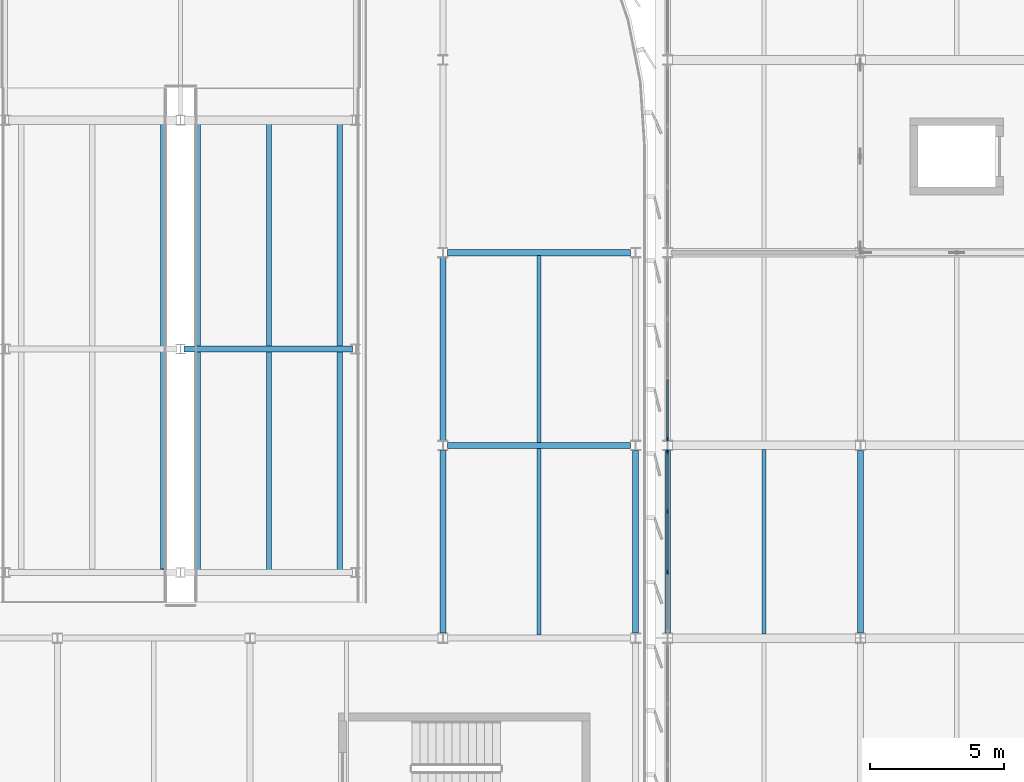
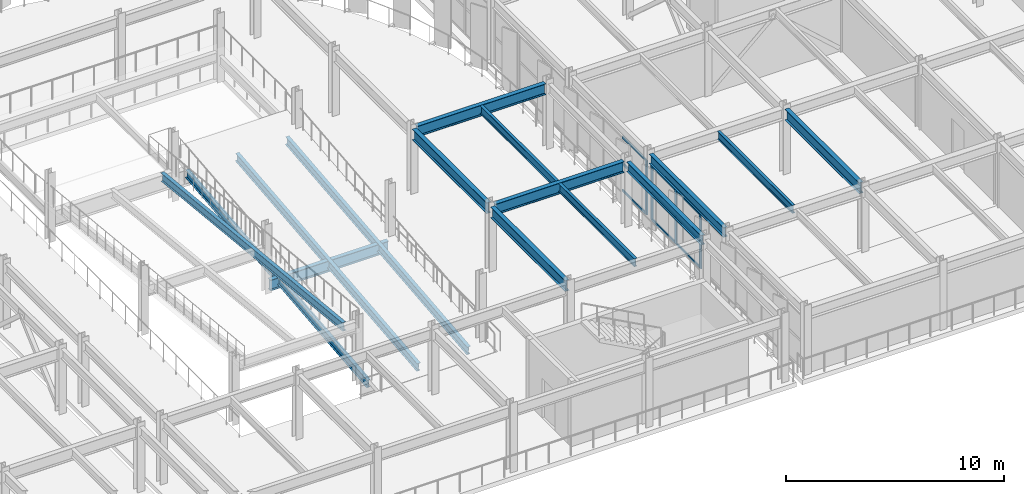
# One storey, part 43 of 93: 15 beams, 13 members, 2 elements without a shape of their own.
"""IFC4 building model written with IfcOpenShell, lengths in metres."""

from ifc_helpers import new_model, si_unit, direction, frame, origin, origin_2d, place, context, subcontext, project, spatial, rectangle, i_section, extrude, material, material_profile, profile_set, type_object, element, aggregate, save


model = new_model("IFC4")

# Units and contexts
model_context = context("Model", 3, precision=1e-05, world=origin(), true_north=direction((0.0, 1.0)))
body_context = subcontext(model_context, "Body", "Model", "MODEL_VIEW")
ifc_project = project(units=[si_unit("LENGTHUNIT", "METRE"), si_unit("AREAUNIT", "SQUARE_METRE"), si_unit("VOLUMEUNIT", "CUBIC_METRE"), si_unit("PLANEANGLEUNIT", "RADIAN"), si_unit("MASSUNIT", "GRAM", prefix="KILO")], contexts=[model_context])

# Site, building, storey
site_placement = place(None, origin())
site = spatial("IfcSite", under=ifc_project, at=site_placement, CompositionType="ELEMENT")
building_placement = place(site_placement, origin())
building = spatial("IfcBuilding", under=site, at=building_placement, Name="Vaelcorin Mobility Hub", CompositionType="ELEMENT")
storey_placement = place(building_placement, frame((0.0, 0.0, 5.39990234375)))
storey = spatial("IfcBuildingStorey", under=building, at=storey_placement, Name="L01", CompositionType="ELEMENT", Elevation=5.39990234375)

# Beams
ifc_material_1 = material(Name="Steel ASTM A992 Grade 50", Category="steel")
ifc_material_profile_1 = material_profile(ifc_material_1, i_section(OverallWidth=0.152099609375, OverallDepth=0.455078125, WebThickness=0.008056640625, FlangeThickness=0.01318359375, FilletRadius=0.012939453125, at=origin_2d()), Name="W18X40")
ifc_profile_set_1 = profile_set([ifc_material_profile_1], Name="Steel ASTM A992 Grade 50")
beam_type_1 = type_object("IfcBeamType", Name="BM-W18X40", PredefinedType="JOIST", material=ifc_profile_set_1)
beam_1_placement = place(storey_placement, frame((148.800048828125, 84.112060546875, 3.423095703125), z_axis=(0.0, 1.0, 0.0), x_axis=(-1.0, 0.0, 0.0)))
element("IfcBeam", 1, at=beam_1_placement, inside=storey, type_object=beam_type_1, Name="L01 Beam V2E-L01-J-04-02-1", PredefinedType="JOIST", context=body_context, shape_type="SweptSolid", body=[
    extrude(i_section(OverallWidth=0.152099609375, OverallDepth=0.455078125, WebThickness=0.008056640625, FlangeThickness=0.01318359375, FilletRadius=0.012939453125, at=origin_2d()), origin(), (0.0, 0.0, 1.0), 6.975830078125),
])
beam_2_placement = place(storey_placement, frame((148.800048828125, 91.31201171875, 3.423095703125), z_axis=(0.0, 1.0, 0.0), x_axis=(-1.0, 0.0, 0.0)))
element("IfcBeam", 2, at=beam_2_placement, inside=storey, type_object=beam_type_1, Name="L01 Beam V2E-L01-J-04-03-1", PredefinedType="JOIST", context=body_context, shape_type="SweptSolid", body=[
    extrude(i_section(OverallWidth=0.152099609375, OverallDepth=0.455078125, WebThickness=0.008056640625, FlangeThickness=0.01318359375, FilletRadius=0.012939453125, at=origin_2d()), origin(), (0.0, 0.0, 1.0), 6.97607421875),
])
beam_3_placement = place(storey_placement, frame((157.199951171875, 84.159912109375, 3.443115234375), z_axis=(0.0, 1.0, 0.0), x_axis=(-1.0, 0.0, 0.0)))
element("IfcBeam", 3, at=beam_3_placement, inside=storey, type_object=beam_type_1, Name="L01 Beam V5-L01-J-01-10-1", PredefinedType="JOIST", context=body_context, shape_type="SweptSolid", body=[
    extrude(i_section(OverallWidth=0.152099609375, OverallDepth=0.455078125, WebThickness=0.008056640625, FlangeThickness=0.01318359375, FilletRadius=0.012939453125, at=origin_2d()), origin(), (0.0, 0.0, 1.0), 6.880126953125),
])
ifc_material_profile_2 = material_profile(ifc_material_1, i_section(OverallWidth=0.19091796875, OverallDepth=0.4599609375, WebThickness=0.010009765625, FlangeThickness=0.01611328125, FilletRadius=0.012939453125, at=origin_2d()), Name="W18X55")
ifc_profile_set_2 = profile_set([ifc_material_profile_2], Name="Steel ASTM A992 Grade 50")
beam_type_2 = type_object("IfcBeamType", Name="BM-W18X55", PredefinedType="JOIST", material=ifc_profile_set_2)
for number, where, z_axis, x_axis, name in (
    (4, (136.050048828125, 86.56005859375, -0.390869140625), (0.0, 0.994870153846, 0.101160155132), (-1.0, 0.0, 0.0), "Vehicle Ramp VR-2 L01 Flight 1 Stringer 1"),
    (5, (138.699951171875, 86.56005859375, -0.390869140625), (0.0, 0.994870153846, 0.101160155132), (-1.0, 0.0, 0.0), "Vehicle Ramp VR-2 L01 Flight 1 Stringer 2"),
    (6, (141.35009765625, 86.56005859375, -0.390869140625), (0.0, 0.994870153846, 0.101160155132), (-1.0, 0.0, 0.0), "Vehicle Ramp VR-2 L01 Flight 1 Stringer 3"),
    (7, (134.75, 103.239990234375, 1.570068359375), (0.0, -0.994876014241, 0.10110250387), (1.0, 0.0, 0.0), "Vehicle Ramp VR-2 L01 Flight 2 Stringer 3"),
):
    element("IfcBeam", number, at=place(storey_placement, frame(where, z_axis=z_axis, x_axis=x_axis)), inside=storey, type_object=beam_type_2, Name=name, PredefinedType="JOIST", context=body_context, shape_type="SweptSolid", body=[
        extrude(i_section(OverallWidth=0.19091796875, OverallDepth=0.4599609375, WebThickness=0.010009765625, FlangeThickness=0.01611328125, FilletRadius=0.012939453125, at=origin_2d()), origin(), (0.0, 0.0, 1.0), 16.765869140625),
    ])
ifc_material_profile_3 = material_profile(ifc_material_1, i_section(OverallWidth=0.2099609375, OverallDepth=0.535888671875, WebThickness=0.010986328125, FlangeThickness=0.017333984375, FilletRadius=0.013916015625, at=origin_2d()), Name="W21X68")
ifc_profile_set_3 = profile_set([ifc_material_profile_3], Name="Steel ASTM A992 Grade 50")
beam_type_3 = type_object("IfcBeamType", Name="BM-W21X68", PredefinedType="SPANDREL", material=ifc_profile_set_3)
for number, where, z_axis, x_axis, name in (
    (8, (152.39990234375, 84.18408203125, 3.382080078125), (0.0, 1.0, 0.0), (-1.0, 0.0, 0.0), "L01 Beam V2E-L01-GY-05-02"),
    (9, (153.60009765625, 84.18408203125, 3.402099609375), (0.0, 1.0, 0.0), (-1.0, 0.0, 0.0), "L01 Beam V5-L01-GY-01-10"),
):
    element("IfcBeam", number, at=place(storey_placement, frame(where, z_axis=z_axis, x_axis=x_axis)), inside=storey, type_object=beam_type_3, Name=name, PredefinedType="SPANDREL", context=body_context, shape_type="SweptSolid", body=[
        extrude(i_section(OverallWidth=0.2099609375, OverallDepth=0.535888671875, WebThickness=0.010986328125, FlangeThickness=0.017333984375, FilletRadius=0.013916015625, at=origin_2d()), origin(), (0.0, 0.0, 1.0), 6.83203125),
    ])
ifc_material_profile_4 = material_profile(ifc_material_1, i_section(OverallWidth=0.22900390625, OverallDepth=0.612060546875, WebThickness=0.011962890625, FlangeThickness=0.01953125, FilletRadius=0.014892578125, at=origin_2d()), Name="W24X84")
ifc_profile_set_4 = profile_set([ifc_material_profile_4], Name="Steel ASTM A992 Grade 50")
beam_type_4 = type_object("IfcBeamType", Name="BM-W24X84", PredefinedType="BEAM", material=ifc_profile_set_4)
for number, where, z_axis, x_axis, name in (
    (10, (145.384033203125, 91.199951171875, 3.343994140625), (1.0, 0.0, 0.0), (0.0, 1.0, 0.0), "L01 Beam V2E-L01-GX-03-04"),
    (11, (145.384033203125, 98.39990234375, 3.343994140625), (1.0, 0.0, 0.0), (0.0, 1.0, 0.0), "L01 Beam V2E-L01-GX-04-04"),
    (12, (145.199951171875, 84.18408203125, 3.343994140625), (0.0, 1.0, 0.0), (-1.0, 0.0, 0.0), "L01 Beam V2E-L01-GY-04-02"),
    (13, (145.199951171875, 91.384033203125, 3.343994140625), (0.0, 1.0, 0.0), (-1.0, 0.0, 0.0), "L01 Beam V2E-L01-GY-04-03"),
    (14, (160.800048828125, 84.18408203125, 3.364013671875), (0.0, 1.0, 0.0), (-1.0, 0.0, 0.0), "L01 Beam V5-L01-GY-02-10"),
):
    element("IfcBeam", number, at=place(storey_placement, frame(where, z_axis=z_axis, x_axis=x_axis)), inside=storey, type_object=beam_type_4, Name=name, PredefinedType="BEAM", context=body_context, shape_type="SweptSolid", body=[
        extrude(i_section(OverallWidth=0.22900390625, OverallDepth=0.612060546875, WebThickness=0.011962890625, FlangeThickness=0.01953125, FilletRadius=0.014892578125, at=origin_2d()), origin(), (0.0, 0.0, 1.0), 6.83203125),
    ])
beam_4_placement = place(storey_placement, frame((135.530029296875, 94.800048828125, 0.35009765625), z_axis=(1.0, 0.0, 0.0), x_axis=(0.0, 1.0, 0.0)))
element("IfcBeam", 15, at=beam_4_placement, inside=storey, type_object=beam_type_4, Name="Vehicle Ramp VR-2 L01 Bent Girder F1M", PredefinedType="BEAM", context=body_context, shape_type="SweptSolid", body=[
    extrude(i_section(OverallWidth=0.22900390625, OverallDepth=0.612060546875, WebThickness=0.011962890625, FlangeThickness=0.01953125, FilletRadius=0.014892578125, at=origin_2d()), origin(), (0.0, 0.0, 1.0), 6.2900390625),
])

# Curtain wall, members
ifc_material_2 = material(Name="Anodised aluminium 6063-T6", Category="aluminium")
curtain_wall_type = type_object("IfcCurtainWallType", Name="CW-MOB-A", PredefinedType="NOTDEFINED", material=ifc_material_2)
curtain_wall_1_placement = place(storey_placement, origin())
curtain_wall_1 = element("IfcCurtainWall", 16, at=curtain_wall_1_placement, inside=storey, type_object=curtain_wall_type, Name="L01 Curtain Wall CW-V5-L01-WN-02", PredefinedType="NOTDEFINED")
ifc_material_profile_5 = material_profile(ifc_material_2, rectangle(XDim=0.06005859375, YDim=0.159912109375, at=origin_2d()), Name="ALU-M60X160")
ifc_profile_set_5 = profile_set([ifc_material_profile_5], Name="Anodised aluminium 6063-T6")
member_type_1 = type_object("IfcMemberType", Name="CW-MULL-160", PredefinedType="MULLION", material=ifc_profile_set_5)
member_1_placement = place(storey_placement, frame((153.60009765625, 86.473388671875, 0.0), z_axis=(0.0, 0.0, 1.0), x_axis=(-1.0, 0.0, 0.0)))
member_1 = element("IfcMember", 17, at=member_1_placement, type_object=member_type_1, Name="CW7 mullion 2", PredefinedType="MULLION", context=body_context, shape_type="SweptSolid", body=[
    extrude(rectangle(XDim=0.06005859375, YDim=0.159912109375, at=origin_2d()), origin(), (0.0, 0.0, 1.0), 3.043212890625),
])
member_2_placement = place(storey_placement, frame((153.60009765625, 88.7265625, 0.0), z_axis=(0.0, 0.0, 1.0), x_axis=(-1.0, 0.0, 0.0)))
member_2 = element("IfcMember", 18, at=member_2_placement, type_object=member_type_1, Name="CW7 mullion 3", PredefinedType="MULLION", context=body_context, shape_type="SweptSolid", body=[
    extrude(rectangle(XDim=0.06005859375, YDim=0.159912109375, at=origin_2d()), origin(), (0.0, 0.0, 1.0), 3.043212890625),
])
member_3_placement = place(storey_placement, frame((153.60009765625, 90.949951171875, 0.0), z_axis=(0.0, 0.0, 1.0), x_axis=(-1.0, 0.0, 0.0)))
member_3 = element("IfcMember", 19, at=member_3_placement, type_object=member_type_1, Name="CW7 mullion 4", PredefinedType="MULLION", context=body_context, shape_type="SweptSolid", body=[
    extrude(rectangle(XDim=0.06005859375, YDim=0.159912109375, at=origin_2d()), origin(), (0.0, 0.0, 1.0), 3.043212890625),
])

# Curtain wall, member
curtain_wall_2_placement = place(storey_placement, origin())
curtain_wall_2 = element("IfcCurtainWall", 20, at=curtain_wall_2_placement, inside=storey, type_object=curtain_wall_type, Name="L01 Curtain Wall CW-V5-L01-WN-03", PredefinedType="NOTDEFINED")
member_4_placement = place(storey_placement, frame((153.60009765625, 91.449951171875, 0.0), z_axis=(0.0, 0.0, 1.0), x_axis=(-1.0, 0.0, 0.0)))
member_4 = element("IfcMember", 21, at=member_4_placement, type_object=member_type_1, Name="CW7 mullion 1", PredefinedType="MULLION", context=body_context, shape_type="SweptSolid", body=[
    extrude(rectangle(XDim=0.06005859375, YDim=0.159912109375, at=origin_2d()), origin(), (0.0, 0.0, 1.0), 3.043212890625),
])

# Member
ifc_material_profile_6 = material_profile(ifc_material_2, rectangle(XDim=0.06005859375, YDim=0.1201171875, at=origin_2d()), Name="ALU-T60X120")
ifc_profile_set_6 = profile_set([ifc_material_profile_6], Name="Anodised aluminium 6063-T6")
member_type_2 = type_object("IfcMemberType", Name="CW-TRAN-140", PredefinedType="USERDEFINED", material=ifc_profile_set_6)
member_5_placement = place(storey_placement, frame((153.60009765625, 86.50341796875, 0.030029296875), z_axis=(0.0, 1.0, 0.0), x_axis=(-1.0, 0.0, 0.0)))
member_5 = element("IfcMember", 22, at=member_5_placement, type_object=member_type_2, Name="CW7 transom 2.1", ObjectType="TRANSOM", PredefinedType="USERDEFINED", context=body_context, shape_type="SweptSolid", body=[
    extrude(rectangle(XDim=0.06005859375, YDim=0.1201171875, at=origin_2d()), origin(), (0.0, 0.0, 1.0), 2.193359375),
])

member_6_placement = place(storey_placement, frame((153.60009765625, 86.50341796875, 1.522216796875), z_axis=(0.0, 1.0, 0.0), x_axis=(-1.0, 0.0, 0.0)))
member_6 = element("IfcMember", 23, at=member_6_placement, type_object=member_type_2, Name="CW7 transom 2.2", ObjectType="TRANSOM", PredefinedType="USERDEFINED", context=body_context, shape_type="SweptSolid", body=[
    extrude(rectangle(XDim=0.06005859375, YDim=0.1201171875, at=origin_2d()), origin(), (0.0, 0.0, 1.0), 2.193359375),
])

member_7_placement = place(storey_placement, frame((153.60009765625, 86.50341796875, 3.01318359375), z_axis=(0.0, 1.0, 0.0), x_axis=(-1.0, 0.0, 0.0)))
member_7 = element("IfcMember", 24, at=member_7_placement, type_object=member_type_2, Name="CW7 transom 2.3", ObjectType="TRANSOM", PredefinedType="USERDEFINED", context=body_context, shape_type="SweptSolid", body=[
    extrude(rectangle(XDim=0.06005859375, YDim=0.1201171875, at=origin_2d()), origin(), (0.0, 0.0, 1.0), 2.193359375),
])

member_8_placement = place(storey_placement, frame((153.60009765625, 88.756591796875, 0.030029296875), z_axis=(0.0, 1.0, 0.0), x_axis=(-1.0, 0.0, 0.0)))
member_8 = element("IfcMember", 25, at=member_8_placement, type_object=member_type_2, Name="CW7 transom 3.1", ObjectType="TRANSOM", PredefinedType="USERDEFINED", context=body_context, shape_type="SweptSolid", body=[
    extrude(rectangle(XDim=0.06005859375, YDim=0.1201171875, at=origin_2d()), origin(), (0.0, 0.0, 1.0), 2.163330078125),
])

member_9_placement = place(storey_placement, frame((153.60009765625, 88.756591796875, 1.522216796875), z_axis=(0.0, 1.0, 0.0), x_axis=(-1.0, 0.0, 0.0)))
member_9 = element("IfcMember", 26, at=member_9_placement, type_object=member_type_2, Name="CW7 transom 3.2", ObjectType="TRANSOM", PredefinedType="USERDEFINED", context=body_context, shape_type="SweptSolid", body=[
    extrude(rectangle(XDim=0.06005859375, YDim=0.1201171875, at=origin_2d()), origin(), (0.0, 0.0, 1.0), 2.163330078125),
])

member_10_placement = place(storey_placement, frame((153.60009765625, 88.756591796875, 3.01318359375), z_axis=(0.0, 1.0, 0.0), x_axis=(-1.0, 0.0, 0.0)))
member_10 = element("IfcMember", 27, at=member_10_placement, type_object=member_type_2, Name="CW7 transom 3.3", ObjectType="TRANSOM", PredefinedType="USERDEFINED", context=body_context, shape_type="SweptSolid", body=[
    extrude(rectangle(XDim=0.06005859375, YDim=0.1201171875, at=origin_2d()), origin(), (0.0, 0.0, 1.0), 2.163330078125),
])

aggregate(curtain_wall_1, [member_1, member_2, member_3, member_5, member_6, member_7, member_8, member_9, member_10])

member_11_placement = place(storey_placement, frame((153.60009765625, 91.47998046875, 0.030029296875), z_axis=(0.0, 1.0, 0.0), x_axis=(-1.0, 0.0, 0.0)))
member_11 = element("IfcMember", 28, at=member_11_placement, type_object=member_type_2, Name="CW7 transom 1.1", ObjectType="TRANSOM", PredefinedType="USERDEFINED", context=body_context, shape_type="SweptSolid", body=[
    extrude(rectangle(XDim=0.06005859375, YDim=0.1201171875, at=origin_2d()), origin(), (0.0, 0.0, 1.0), 2.163330078125),
])

member_12_placement = place(storey_placement, frame((153.60009765625, 91.47998046875, 1.522216796875), z_axis=(0.0, 1.0, 0.0), x_axis=(-1.0, 0.0, 0.0)))
member_12 = element("IfcMember", 29, at=member_12_placement, type_object=member_type_2, Name="CW7 transom 1.2", ObjectType="TRANSOM", PredefinedType="USERDEFINED", context=body_context, shape_type="SweptSolid", body=[
    extrude(rectangle(XDim=0.06005859375, YDim=0.1201171875, at=origin_2d()), origin(), (0.0, 0.0, 1.0), 2.163330078125),
])

member_13_placement = place(storey_placement, frame((153.60009765625, 91.47998046875, 3.01318359375), z_axis=(0.0, 1.0, 0.0), x_axis=(-1.0, 0.0, 0.0)))
member_13 = element("IfcMember", 30, at=member_13_placement, type_object=member_type_2, Name="CW7 transom 1.3", ObjectType="TRANSOM", PredefinedType="USERDEFINED", context=body_context, shape_type="SweptSolid", body=[
    extrude(rectangle(XDim=0.06005859375, YDim=0.1201171875, at=origin_2d()), origin(), (0.0, 0.0, 1.0), 2.163330078125),
])

aggregate(curtain_wall_2, [member_4, member_11, member_12, member_13])

save(model, "model.ifc")
